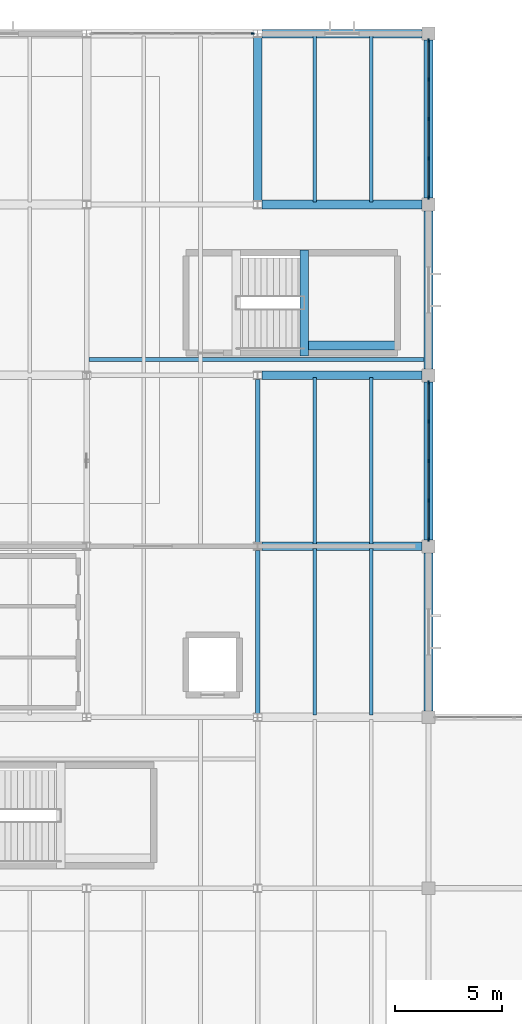
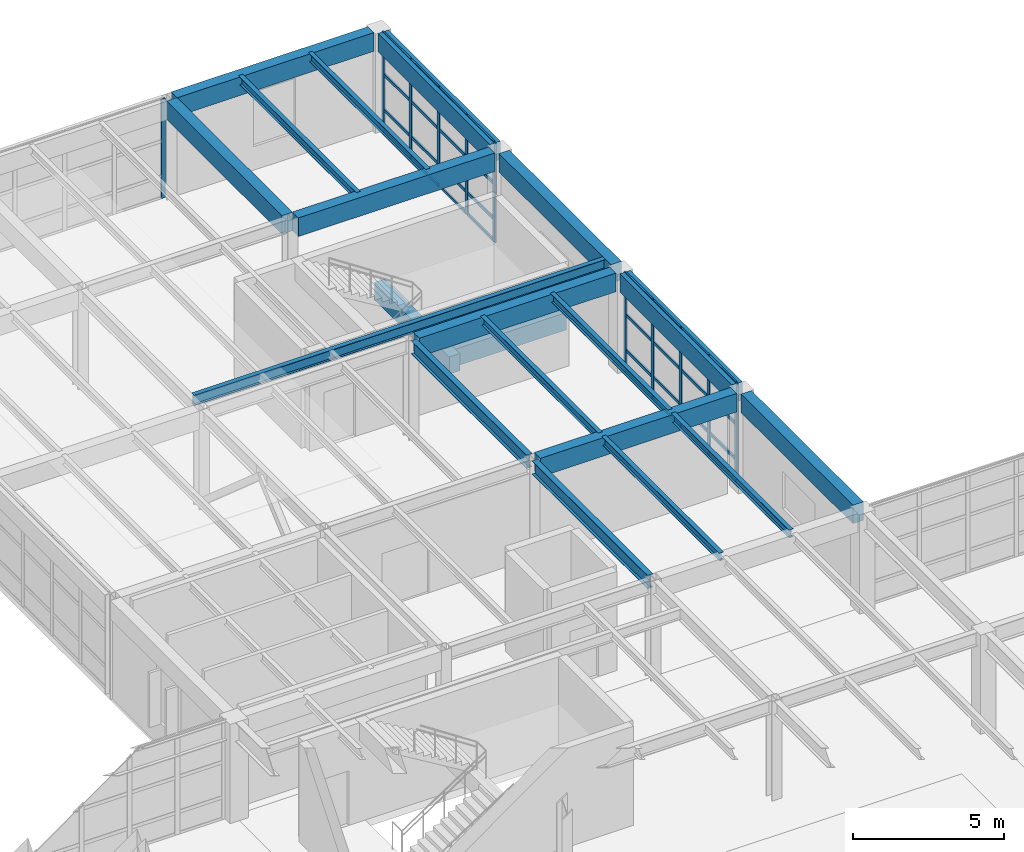
# One storey, part 28 of 48: 43 members, 20 beams, 3 elements without a shape of their own.
"""IFC4 building model written with IfcOpenShell, lengths in metres."""

from ifc_helpers import new_model, si_unit, direction, frame, origin, origin_2d, place, context, subcontext, project, spatial, rectangle, i_section, extrude, material, layer, layer_set, material_profile, profile_set, type_object, element, aggregate, save


model = new_model("IFC4")

# Units and contexts
model_context = context("Model", 3, precision=1e-05, world=origin(), true_north=direction((0.0, 1.0)))
body_context = subcontext(model_context, "Body", "Model", "MODEL_VIEW")
ifc_project = project(units=[si_unit("LENGTHUNIT", "METRE"), si_unit("AREAUNIT", "SQUARE_METRE"), si_unit("VOLUMEUNIT", "CUBIC_METRE"), si_unit("PLANEANGLEUNIT", "RADIAN"), si_unit("MASSUNIT", "GRAM", prefix="KILO")], contexts=[model_context])

# Site, building, storey
site_placement = place(None, origin())
site = spatial("IfcSite", under=ifc_project, at=site_placement, CompositionType="ELEMENT")
building_placement = place(site_placement, origin())
building = spatial("IfcBuilding", under=site, at=building_placement, Name="Varnela Railside Interchange", CompositionType="ELEMENT")
storey_placement = place(building_placement, frame((0.0, 0.0, 11.199951171875)))
storey = spatial("IfcBuildingStorey", under=building, at=storey_placement, Name="L02", CompositionType="ELEMENT", Elevation=11.199951171875)

# Beams
ifc_material_1 = material(Name="Steel AR 350 (350 MPa)", Category="steel")
ifc_material_profile_1 = material_profile(ifc_material_1, i_section(OverallWidth=0.2109375, OverallDepth=0.5390625, WebThickness=0.01171875, FlangeThickness=0.018798828125, at=origin_2d()), Name="W530x109")
ifc_profile_set_1 = profile_set([ifc_material_profile_1], Name="Steel AR 350 (350 MPa)")
beam_type_1 = type_object("IfcBeamType", Name="Composite Girder B-17", PredefinedType="BEAM", material=ifc_profile_set_1)
for number, where, z_axis, x_axis, name in (
    (1, (132.0, 62.1875, 3.73046875), (0.0, 1.0, 0.0), (-1.0, 0.0, 0.0), "Composite Girder B-17 (L02) (BM-2037)"),
    (2, (132.0, 70.1875, 3.73046875), (0.0, 1.0, 0.0), (-1.0, 0.0, 0.0), "Composite Girder B-17 (L02) (BM-2038)"),
):
    element("IfcBeam", number, at=place(storey_placement, frame(where, z_axis=z_axis, x_axis=x_axis)), inside=storey, type_object=beam_type_1, Name=name, PredefinedType="BEAM", context=body_context, shape_type="SweptSolid", body=[
        extrude(i_section(OverallWidth=0.2109375, OverallDepth=0.5390625, WebThickness=0.01171875, FlangeThickness=0.018798828125, at=origin_2d()), origin(), (0.0, 0.0, 1.0), 7.625),
    ])
ifc_material_profile_2 = material_profile(ifc_material_1, i_section(OverallWidth=0.1669921875, OverallDepth=0.31689453125, WebThickness=0.007568359375, FlangeThickness=0.01318359375, at=origin_2d()), Name="W310x52")
ifc_profile_set_2 = profile_set([ifc_material_profile_2], Name="Steel AR 350 (350 MPa)")
beam_type_2 = type_object("IfcBeamType", Name="Composite Long-Span Joist J-03", PredefinedType="JOIST", material=ifc_profile_set_2)
for number, where, z_axis, x_axis, name in (
    (3, (134.669921875, 62.10595703125, 3.841552734375), (0.0, 1.0, 0.0), (-1.0, 0.0, 0.0), "Composite Long-Span Joist J-03 (L02) (BM-1872)"),
    (4, (137.330078125, 62.10595703125, 3.841552734375), (0.0, 1.0, 0.0), (-1.0, 0.0, 0.0), "Composite Long-Span Joist J-03 (L02) (BM-1873)"),
    (5, (134.669921875, 70.10595703125, 3.841552734375), (0.0, 1.0, 0.0), (-1.0, 0.0, 0.0), "Composite Long-Span Joist J-03 (L02) (BM-1874)"),
    (6, (137.330078125, 70.10595703125, 3.841552734375), (0.0, 1.0, 0.0), (-1.0, 0.0, 0.0), "Composite Long-Span Joist J-03 (L02) (BM-1875)"),
    (7, (134.669921875, 86.10595703125, 3.841552734375), (0.0, 1.0, 0.0), (-1.0, 0.0, 0.0), "Composite Long-Span Joist J-03 (L02) (BM-1864)"),
    (8, (137.330078125, 86.10595703125, 3.841552734375), (0.0, 1.0, 0.0), (-1.0, 0.0, 0.0), "Composite Long-Span Joist J-03 (L02) (BM-1865)"),
):
    element("IfcBeam", number, at=place(storey_placement, frame(where, z_axis=z_axis, x_axis=x_axis)), inside=storey, type_object=beam_type_2, Name=name, PredefinedType="JOIST", context=body_context, shape_type="SweptSolid", body=[
        extrude(i_section(OverallWidth=0.1669921875, OverallDepth=0.31689453125, WebThickness=0.007568359375, FlangeThickness=0.01318359375, at=origin_2d()), origin(), (0.0, 0.0, 1.0), 7.7880859375),
    ])
ifc_material_2 = material(Name="Concrete C40", Category="concrete")
ifc_material_profile_3 = material_profile(ifc_material_2, rectangle(XDim=0.39990234375, YDim=0.699951171875, at=origin_2d()), Name="RC 400x700")
ifc_profile_set_3 = profile_set([ifc_material_profile_3], Name="Concrete C40")
beam_type_3 = type_object("IfcBeamType", Name="Concrete Tie Beam B-01", PredefinedType="BEAM", material=ifc_profile_set_3)
beam_1_placement = place(storey_placement, frame((134.18994140625, 78.919921875, 1.590087890625), z_axis=(0.0, 1.0, 0.0), x_axis=(-1.0, 0.0, 0.0)))
element("IfcBeam", 9, at=beam_1_placement, inside=storey, type_object=beam_type_3, Name="Concrete Tie Beam B-01 (L02) (BM-2107)", PredefinedType="BEAM", context=body_context, shape_type="SweptSolid", body=[
    extrude(rectangle(XDim=0.39990234375, YDim=0.699951171875, at=origin_2d()), origin(), (0.0, 0.0, 1.0), 4.9599609375),
])
beam_2_placement = place(storey_placement, frame((134.389892578125, 79.39990234375, 1.590087890625), z_axis=(1.0, 0.0, 0.0), x_axis=(0.0, 1.0, 0.0)))
element("IfcBeam", 10, at=beam_2_placement, inside=storey, type_object=beam_type_3, Name="Concrete Tie Beam B-01 (L02) (BM-2101)", PredefinedType="BEAM", context=body_context, shape_type="SweptSolid", body=[
    extrude(rectangle(XDim=0.39990234375, YDim=0.699951171875, at=origin_2d()), origin(), (0.0, 0.0, 1.0), 4.230224609375),
])

# Curtain wall, member
ifc_material_3 = material(Name="Aluminium 6063-T6", Category="aluminium")
ifc_layer = layer(ifc_material_3, 0.035888671875)
ifc_layer_set = layer_set([ifc_layer], Name="Aluminium 6063-T6")
curtain_wall_type = type_object("IfcCurtainWallType", Name="Study Pavilion Gallery Curtain Wall CW-02", PredefinedType="USERDEFINED", material=ifc_layer_set)
curtain_wall_1_placement = place(storey_placement, origin())
curtain_wall_1 = element("IfcCurtainWall", 11, at=curtain_wall_1_placement, inside=storey, type_object=curtain_wall_type, Name="Curtain Wall CW-02 (L02) (CW-057)", ObjectType="CURTAIN WALL", PredefinedType="USERDEFINED")
ifc_material_profile_4 = material_profile(ifc_material_3, rectangle(XDim=0.06005859375, YDim=0.159912109375, at=origin_2d()), Name="ALU 60x160")
ifc_profile_set_4 = profile_set([ifc_material_profile_4], Name="Aluminium 6063-T6")
member_type_1 = type_object("IfcMemberType", Name="Curtain Wall Mullion ML-02", PredefinedType="MULLION", material=ifc_profile_set_4)
member_1_placement = place(storey_placement, frame((131.77294921875, 94.0, 0.0), z_axis=(0.0, 0.0, 1.0), x_axis=(0.0, 1.0, 0.0)))
member_1 = element("IfcMember", 12, at=member_1_placement, type_object=member_type_1, Name="CW-02 mullion 5", PredefinedType="MULLION", context=body_context, shape_type="SweptSolid", body=[
    extrude(rectangle(XDim=0.06005859375, YDim=0.159912109375, at=origin_2d()), origin(), (0.0, 0.0, 1.0), 4.0),
])
aggregate(curtain_wall_1, [member_1])

# Curtain wall, members
curtain_wall_2_placement = place(storey_placement, origin())
curtain_wall_2 = element("IfcCurtainWall", 13, at=curtain_wall_2_placement, inside=storey, type_object=curtain_wall_type, Name="Curtain Wall CW-02 (L02) (CW-058)", ObjectType="CURTAIN WALL", PredefinedType="USERDEFINED")
member_2_placement = place(storey_placement, frame((140.0, 93.669921875, 0.0), z_axis=(0.0, 0.0, 1.0), x_axis=(1.0, 0.0, 0.0)))
member_2 = element("IfcMember", 14, at=member_2_placement, type_object=member_type_1, Name="CW-02 mullion 1", PredefinedType="MULLION", context=body_context, shape_type="SweptSolid", body=[
    extrude(rectangle(XDim=0.06005859375, YDim=0.159912109375, at=origin_2d()), origin(), (0.0, 0.0, 1.0), 4.0),
])
member_3_placement = place(storey_placement, frame((140.0, 91.85009765625, 0.0), z_axis=(0.0, 0.0, 1.0), x_axis=(1.0, 0.0, 0.0)))
member_3 = element("IfcMember", 15, at=member_3_placement, type_object=member_type_1, Name="CW-02 mullion 2", PredefinedType="MULLION", context=body_context, shape_type="SweptSolid", body=[
    extrude(rectangle(XDim=0.06005859375, YDim=0.159912109375, at=origin_2d()), origin(), (0.0, 0.0, 1.0), 4.0),
])
member_4_placement = place(storey_placement, frame((140.0, 90.0, 0.0), z_axis=(0.0, 0.0, 1.0), x_axis=(1.0, 0.0, 0.0)))
member_4 = element("IfcMember", 16, at=member_4_placement, type_object=member_type_1, Name="CW-02 mullion 3", PredefinedType="MULLION", context=body_context, shape_type="SweptSolid", body=[
    extrude(rectangle(XDim=0.06005859375, YDim=0.159912109375, at=origin_2d()), origin(), (0.0, 0.0, 1.0), 4.0),
])
member_5_placement = place(storey_placement, frame((140.0, 88.14990234375, 0.0), z_axis=(0.0, 0.0, 1.0), x_axis=(1.0, 0.0, 0.0)))
member_5 = element("IfcMember", 17, at=member_5_placement, type_object=member_type_1, Name="CW-02 mullion 4", PredefinedType="MULLION", context=body_context, shape_type="SweptSolid", body=[
    extrude(rectangle(XDim=0.06005859375, YDim=0.159912109375, at=origin_2d()), origin(), (0.0, 0.0, 1.0), 4.0),
])
member_6_placement = place(storey_placement, frame((140.0, 86.330078125, 0.0), z_axis=(0.0, 0.0, 1.0), x_axis=(1.0, 0.0, 0.0)))
member_6 = element("IfcMember", 18, at=member_6_placement, type_object=member_type_1, Name="CW-02 mullion 5", PredefinedType="MULLION", context=body_context, shape_type="SweptSolid", body=[
    extrude(rectangle(XDim=0.06005859375, YDim=0.159912109375, at=origin_2d()), origin(), (0.0, 0.0, 1.0), 4.0),
])

curtain_wall_3_placement = place(storey_placement, origin())
curtain_wall_3 = element("IfcCurtainWall", 19, at=curtain_wall_3_placement, inside=storey, type_object=curtain_wall_type, Name="Curtain Wall CW-02 (L02) (CW-059)", ObjectType="CURTAIN WALL", PredefinedType="USERDEFINED")
member_7_placement = place(storey_placement, frame((140.0, 77.669921875, 0.0), z_axis=(0.0, 0.0, 1.0), x_axis=(1.0, 0.0, 0.0)))
member_7 = element("IfcMember", 20, at=member_7_placement, type_object=member_type_1, Name="CW-02 mullion 1", PredefinedType="MULLION", context=body_context, shape_type="SweptSolid", body=[
    extrude(rectangle(XDim=0.06005859375, YDim=0.159912109375, at=origin_2d()), origin(), (0.0, 0.0, 1.0), 4.0),
])
member_8_placement = place(storey_placement, frame((140.0, 75.85009765625, 0.0), z_axis=(0.0, 0.0, 1.0), x_axis=(1.0, 0.0, 0.0)))
member_8 = element("IfcMember", 21, at=member_8_placement, type_object=member_type_1, Name="CW-02 mullion 2", PredefinedType="MULLION", context=body_context, shape_type="SweptSolid", body=[
    extrude(rectangle(XDim=0.06005859375, YDim=0.159912109375, at=origin_2d()), origin(), (0.0, 0.0, 1.0), 4.0),
])
member_9_placement = place(storey_placement, frame((140.0, 74.0, 0.0), z_axis=(0.0, 0.0, 1.0), x_axis=(1.0, 0.0, 0.0)))
member_9 = element("IfcMember", 22, at=member_9_placement, type_object=member_type_1, Name="CW-02 mullion 3", PredefinedType="MULLION", context=body_context, shape_type="SweptSolid", body=[
    extrude(rectangle(XDim=0.06005859375, YDim=0.159912109375, at=origin_2d()), origin(), (0.0, 0.0, 1.0), 4.0),
])
member_10_placement = place(storey_placement, frame((140.0, 72.14990234375, 0.0), z_axis=(0.0, 0.0, 1.0), x_axis=(1.0, 0.0, 0.0)))
member_10 = element("IfcMember", 23, at=member_10_placement, type_object=member_type_1, Name="CW-02 mullion 4", PredefinedType="MULLION", context=body_context, shape_type="SweptSolid", body=[
    extrude(rectangle(XDim=0.06005859375, YDim=0.159912109375, at=origin_2d()), origin(), (0.0, 0.0, 1.0), 4.0),
])
member_11_placement = place(storey_placement, frame((140.0, 70.330078125, 0.0), z_axis=(0.0, 0.0, 1.0), x_axis=(1.0, 0.0, 0.0)))
member_11 = element("IfcMember", 24, at=member_11_placement, type_object=member_type_1, Name="CW-02 mullion 5", PredefinedType="MULLION", context=body_context, shape_type="SweptSolid", body=[
    extrude(rectangle(XDim=0.06005859375, YDim=0.159912109375, at=origin_2d()), origin(), (0.0, 0.0, 1.0), 4.0),
])

# Member
ifc_material_profile_5 = material_profile(ifc_material_3, rectangle(XDim=0.06005859375, YDim=0.1201171875, at=origin_2d()), Name="ALU 60x120")
ifc_profile_set_5 = profile_set([ifc_material_profile_5], Name="Aluminium 6063-T6")
member_type_2 = type_object("IfcMemberType", Name="Curtain Wall Transom TR-02", PredefinedType="USERDEFINED", material=ifc_profile_set_5)
member_12_placement = place(storey_placement, frame((140.0, 93.639892578125, 0.030029296875), z_axis=(0.0, -1.0, 0.0), x_axis=(1.0, 0.0, 0.0)))
member_12 = element("IfcMember", 25, at=member_12_placement, type_object=member_type_2, Name="CW-02 transom 1.1", ObjectType="TRANSOM", PredefinedType="USERDEFINED", context=body_context, shape_type="SweptSolid", body=[
    extrude(rectangle(XDim=0.06005859375, YDim=0.1201171875, at=origin_2d()), origin(), (0.0, 0.0, 1.0), 1.760009765625),
])

member_13_placement = place(storey_placement, frame((140.0, 93.639892578125, 0.900146484375), z_axis=(0.0, -1.0, 0.0), x_axis=(1.0, 0.0, 0.0)))
member_13 = element("IfcMember", 26, at=member_13_placement, type_object=member_type_2, Name="CW-02 transom 1.2", ObjectType="TRANSOM", PredefinedType="USERDEFINED", context=body_context, shape_type="SweptSolid", body=[
    extrude(rectangle(XDim=0.06005859375, YDim=0.1201171875, at=origin_2d()), origin(), (0.0, 0.0, 1.0), 1.760009765625),
])

member_14_placement = place(storey_placement, frame((140.0, 93.639892578125, 2.320068359375), z_axis=(0.0, -1.0, 0.0), x_axis=(1.0, 0.0, 0.0)))
member_14 = element("IfcMember", 27, at=member_14_placement, type_object=member_type_2, Name="CW-02 transom 1.3", ObjectType="TRANSOM", PredefinedType="USERDEFINED", context=body_context, shape_type="SweptSolid", body=[
    extrude(rectangle(XDim=0.06005859375, YDim=0.1201171875, at=origin_2d()), origin(), (0.0, 0.0, 1.0), 1.760009765625),
])

member_15_placement = place(storey_placement, frame((140.0, 93.639892578125, 3.969970703125), z_axis=(0.0, -1.0, 0.0), x_axis=(1.0, 0.0, 0.0)))
member_15 = element("IfcMember", 28, at=member_15_placement, type_object=member_type_2, Name="CW-02 transom 1.4", ObjectType="TRANSOM", PredefinedType="USERDEFINED", context=body_context, shape_type="SweptSolid", body=[
    extrude(rectangle(XDim=0.06005859375, YDim=0.1201171875, at=origin_2d()), origin(), (0.0, 0.0, 1.0), 1.760009765625),
])

member_16_placement = place(storey_placement, frame((140.0, 91.820068359375, 0.030029296875), z_axis=(0.0, -1.0, 0.0), x_axis=(1.0, 0.0, 0.0)))
member_16 = element("IfcMember", 29, at=member_16_placement, type_object=member_type_2, Name="CW-02 transom 2.1", ObjectType="TRANSOM", PredefinedType="USERDEFINED", context=body_context, shape_type="SweptSolid", body=[
    extrude(rectangle(XDim=0.06005859375, YDim=0.1201171875, at=origin_2d()), origin(), (0.0, 0.0, 1.0), 1.7900390625),
])

member_17_placement = place(storey_placement, frame((140.0, 91.820068359375, 0.900146484375), z_axis=(0.0, -1.0, 0.0), x_axis=(1.0, 0.0, 0.0)))
member_17 = element("IfcMember", 30, at=member_17_placement, type_object=member_type_2, Name="CW-02 transom 2.2", ObjectType="TRANSOM", PredefinedType="USERDEFINED", context=body_context, shape_type="SweptSolid", body=[
    extrude(rectangle(XDim=0.06005859375, YDim=0.1201171875, at=origin_2d()), origin(), (0.0, 0.0, 1.0), 1.7900390625),
])

member_18_placement = place(storey_placement, frame((140.0, 91.820068359375, 2.320068359375), z_axis=(0.0, -1.0, 0.0), x_axis=(1.0, 0.0, 0.0)))
member_18 = element("IfcMember", 31, at=member_18_placement, type_object=member_type_2, Name="CW-02 transom 2.3", ObjectType="TRANSOM", PredefinedType="USERDEFINED", context=body_context, shape_type="SweptSolid", body=[
    extrude(rectangle(XDim=0.06005859375, YDim=0.1201171875, at=origin_2d()), origin(), (0.0, 0.0, 1.0), 1.7900390625),
])

member_19_placement = place(storey_placement, frame((140.0, 91.820068359375, 3.969970703125), z_axis=(0.0, -1.0, 0.0), x_axis=(1.0, 0.0, 0.0)))
member_19 = element("IfcMember", 32, at=member_19_placement, type_object=member_type_2, Name="CW-02 transom 2.4", ObjectType="TRANSOM", PredefinedType="USERDEFINED", context=body_context, shape_type="SweptSolid", body=[
    extrude(rectangle(XDim=0.06005859375, YDim=0.1201171875, at=origin_2d()), origin(), (0.0, 0.0, 1.0), 1.7900390625),
])

member_20_placement = place(storey_placement, frame((140.0, 89.969970703125, 0.030029296875), z_axis=(0.0, -1.0, 0.0), x_axis=(1.0, 0.0, 0.0)))
member_20 = element("IfcMember", 33, at=member_20_placement, type_object=member_type_2, Name="CW-02 transom 3.1", ObjectType="TRANSOM", PredefinedType="USERDEFINED", context=body_context, shape_type="SweptSolid", body=[
    extrude(rectangle(XDim=0.06005859375, YDim=0.1201171875, at=origin_2d()), origin(), (0.0, 0.0, 1.0), 1.7900390625),
])

member_21_placement = place(storey_placement, frame((140.0, 89.969970703125, 0.900146484375), z_axis=(0.0, -1.0, 0.0), x_axis=(1.0, 0.0, 0.0)))
member_21 = element("IfcMember", 34, at=member_21_placement, type_object=member_type_2, Name="CW-02 transom 3.2", ObjectType="TRANSOM", PredefinedType="USERDEFINED", context=body_context, shape_type="SweptSolid", body=[
    extrude(rectangle(XDim=0.06005859375, YDim=0.1201171875, at=origin_2d()), origin(), (0.0, 0.0, 1.0), 1.7900390625),
])

member_22_placement = place(storey_placement, frame((140.0, 89.969970703125, 2.320068359375), z_axis=(0.0, -1.0, 0.0), x_axis=(1.0, 0.0, 0.0)))
member_22 = element("IfcMember", 35, at=member_22_placement, type_object=member_type_2, Name="CW-02 transom 3.3", ObjectType="TRANSOM", PredefinedType="USERDEFINED", context=body_context, shape_type="SweptSolid", body=[
    extrude(rectangle(XDim=0.06005859375, YDim=0.1201171875, at=origin_2d()), origin(), (0.0, 0.0, 1.0), 1.7900390625),
])

member_23_placement = place(storey_placement, frame((140.0, 89.969970703125, 3.969970703125), z_axis=(0.0, -1.0, 0.0), x_axis=(1.0, 0.0, 0.0)))
member_23 = element("IfcMember", 36, at=member_23_placement, type_object=member_type_2, Name="CW-02 transom 3.4", ObjectType="TRANSOM", PredefinedType="USERDEFINED", context=body_context, shape_type="SweptSolid", body=[
    extrude(rectangle(XDim=0.06005859375, YDim=0.1201171875, at=origin_2d()), origin(), (0.0, 0.0, 1.0), 1.7900390625),
])

member_24_placement = place(storey_placement, frame((140.0, 88.1201171875, 0.030029296875), z_axis=(0.0, -1.0, 0.0), x_axis=(1.0, 0.0, 0.0)))
member_24 = element("IfcMember", 37, at=member_24_placement, type_object=member_type_2, Name="CW-02 transom 4.1", ObjectType="TRANSOM", PredefinedType="USERDEFINED", context=body_context, shape_type="SweptSolid", body=[
    extrude(rectangle(XDim=0.06005859375, YDim=0.1201171875, at=origin_2d()), origin(), (0.0, 0.0, 1.0), 1.760009765625),
])

member_25_placement = place(storey_placement, frame((140.0, 88.1201171875, 0.900146484375), z_axis=(0.0, -1.0, 0.0), x_axis=(1.0, 0.0, 0.0)))
member_25 = element("IfcMember", 38, at=member_25_placement, type_object=member_type_2, Name="CW-02 transom 4.2", ObjectType="TRANSOM", PredefinedType="USERDEFINED", context=body_context, shape_type="SweptSolid", body=[
    extrude(rectangle(XDim=0.06005859375, YDim=0.1201171875, at=origin_2d()), origin(), (0.0, 0.0, 1.0), 1.760009765625),
])

member_26_placement = place(storey_placement, frame((140.0, 88.1201171875, 2.320068359375), z_axis=(0.0, -1.0, 0.0), x_axis=(1.0, 0.0, 0.0)))
member_26 = element("IfcMember", 39, at=member_26_placement, type_object=member_type_2, Name="CW-02 transom 4.3", ObjectType="TRANSOM", PredefinedType="USERDEFINED", context=body_context, shape_type="SweptSolid", body=[
    extrude(rectangle(XDim=0.06005859375, YDim=0.1201171875, at=origin_2d()), origin(), (0.0, 0.0, 1.0), 1.760009765625),
])

member_27_placement = place(storey_placement, frame((140.0, 88.1201171875, 3.969970703125), z_axis=(0.0, -1.0, 0.0), x_axis=(1.0, 0.0, 0.0)))
member_27 = element("IfcMember", 40, at=member_27_placement, type_object=member_type_2, Name="CW-02 transom 4.4", ObjectType="TRANSOM", PredefinedType="USERDEFINED", context=body_context, shape_type="SweptSolid", body=[
    extrude(rectangle(XDim=0.06005859375, YDim=0.1201171875, at=origin_2d()), origin(), (0.0, 0.0, 1.0), 1.760009765625),
])

aggregate(curtain_wall_2, [member_2, member_3, member_4, member_5, member_6, member_12, member_13, member_14, member_15, member_16, member_17, member_18, member_19, member_20, member_21, member_22, member_23, member_24, member_25, member_26, member_27])

member_28_placement = place(storey_placement, frame((140.0, 77.639892578125, 0.030029296875), z_axis=(0.0, -1.0, 0.0), x_axis=(1.0, 0.0, 0.0)))
member_28 = element("IfcMember", 41, at=member_28_placement, type_object=member_type_2, Name="CW-02 transom 1.1", ObjectType="TRANSOM", PredefinedType="USERDEFINED", context=body_context, shape_type="SweptSolid", body=[
    extrude(rectangle(XDim=0.06005859375, YDim=0.1201171875, at=origin_2d()), origin(), (0.0, 0.0, 1.0), 1.760009765625),
])

member_29_placement = place(storey_placement, frame((140.0, 77.639892578125, 0.900146484375), z_axis=(0.0, -1.0, 0.0), x_axis=(1.0, 0.0, 0.0)))
member_29 = element("IfcMember", 42, at=member_29_placement, type_object=member_type_2, Name="CW-02 transom 1.2", ObjectType="TRANSOM", PredefinedType="USERDEFINED", context=body_context, shape_type="SweptSolid", body=[
    extrude(rectangle(XDim=0.06005859375, YDim=0.1201171875, at=origin_2d()), origin(), (0.0, 0.0, 1.0), 1.760009765625),
])

member_30_placement = place(storey_placement, frame((140.0, 77.639892578125, 2.320068359375), z_axis=(0.0, -1.0, 0.0), x_axis=(1.0, 0.0, 0.0)))
member_30 = element("IfcMember", 43, at=member_30_placement, type_object=member_type_2, Name="CW-02 transom 1.3", ObjectType="TRANSOM", PredefinedType="USERDEFINED", context=body_context, shape_type="SweptSolid", body=[
    extrude(rectangle(XDim=0.06005859375, YDim=0.1201171875, at=origin_2d()), origin(), (0.0, 0.0, 1.0), 1.760009765625),
])

member_31_placement = place(storey_placement, frame((140.0, 77.639892578125, 3.969970703125), z_axis=(0.0, -1.0, 0.0), x_axis=(1.0, 0.0, 0.0)))
member_31 = element("IfcMember", 44, at=member_31_placement, type_object=member_type_2, Name="CW-02 transom 1.4", ObjectType="TRANSOM", PredefinedType="USERDEFINED", context=body_context, shape_type="SweptSolid", body=[
    extrude(rectangle(XDim=0.06005859375, YDim=0.1201171875, at=origin_2d()), origin(), (0.0, 0.0, 1.0), 1.760009765625),
])

member_32_placement = place(storey_placement, frame((140.0, 75.820068359375, 0.030029296875), z_axis=(0.0, -1.0, 0.0), x_axis=(1.0, 0.0, 0.0)))
member_32 = element("IfcMember", 45, at=member_32_placement, type_object=member_type_2, Name="CW-02 transom 2.1", ObjectType="TRANSOM", PredefinedType="USERDEFINED", context=body_context, shape_type="SweptSolid", body=[
    extrude(rectangle(XDim=0.06005859375, YDim=0.1201171875, at=origin_2d()), origin(), (0.0, 0.0, 1.0), 1.7900390625),
])

member_33_placement = place(storey_placement, frame((140.0, 75.820068359375, 0.900146484375), z_axis=(0.0, -1.0, 0.0), x_axis=(1.0, 0.0, 0.0)))
member_33 = element("IfcMember", 46, at=member_33_placement, type_object=member_type_2, Name="CW-02 transom 2.2", ObjectType="TRANSOM", PredefinedType="USERDEFINED", context=body_context, shape_type="SweptSolid", body=[
    extrude(rectangle(XDim=0.06005859375, YDim=0.1201171875, at=origin_2d()), origin(), (0.0, 0.0, 1.0), 1.7900390625),
])

member_34_placement = place(storey_placement, frame((140.0, 75.820068359375, 2.320068359375), z_axis=(0.0, -1.0, 0.0), x_axis=(1.0, 0.0, 0.0)))
member_34 = element("IfcMember", 47, at=member_34_placement, type_object=member_type_2, Name="CW-02 transom 2.3", ObjectType="TRANSOM", PredefinedType="USERDEFINED", context=body_context, shape_type="SweptSolid", body=[
    extrude(rectangle(XDim=0.06005859375, YDim=0.1201171875, at=origin_2d()), origin(), (0.0, 0.0, 1.0), 1.7900390625),
])

member_35_placement = place(storey_placement, frame((140.0, 75.820068359375, 3.969970703125), z_axis=(0.0, -1.0, 0.0), x_axis=(1.0, 0.0, 0.0)))
member_35 = element("IfcMember", 48, at=member_35_placement, type_object=member_type_2, Name="CW-02 transom 2.4", ObjectType="TRANSOM", PredefinedType="USERDEFINED", context=body_context, shape_type="SweptSolid", body=[
    extrude(rectangle(XDim=0.06005859375, YDim=0.1201171875, at=origin_2d()), origin(), (0.0, 0.0, 1.0), 1.7900390625),
])

member_36_placement = place(storey_placement, frame((140.0, 73.969970703125, 0.030029296875), z_axis=(0.0, -1.0, 0.0), x_axis=(1.0, 0.0, 0.0)))
member_36 = element("IfcMember", 49, at=member_36_placement, type_object=member_type_2, Name="CW-02 transom 3.1", ObjectType="TRANSOM", PredefinedType="USERDEFINED", context=body_context, shape_type="SweptSolid", body=[
    extrude(rectangle(XDim=0.06005859375, YDim=0.1201171875, at=origin_2d()), origin(), (0.0, 0.0, 1.0), 1.7900390625),
])

member_37_placement = place(storey_placement, frame((140.0, 73.969970703125, 0.900146484375), z_axis=(0.0, -1.0, 0.0), x_axis=(1.0, 0.0, 0.0)))
member_37 = element("IfcMember", 50, at=member_37_placement, type_object=member_type_2, Name="CW-02 transom 3.2", ObjectType="TRANSOM", PredefinedType="USERDEFINED", context=body_context, shape_type="SweptSolid", body=[
    extrude(rectangle(XDim=0.06005859375, YDim=0.1201171875, at=origin_2d()), origin(), (0.0, 0.0, 1.0), 1.7900390625),
])

member_38_placement = place(storey_placement, frame((140.0, 73.969970703125, 2.320068359375), z_axis=(0.0, -1.0, 0.0), x_axis=(1.0, 0.0, 0.0)))
member_38 = element("IfcMember", 51, at=member_38_placement, type_object=member_type_2, Name="CW-02 transom 3.3", ObjectType="TRANSOM", PredefinedType="USERDEFINED", context=body_context, shape_type="SweptSolid", body=[
    extrude(rectangle(XDim=0.06005859375, YDim=0.1201171875, at=origin_2d()), origin(), (0.0, 0.0, 1.0), 1.7900390625),
])

member_39_placement = place(storey_placement, frame((140.0, 73.969970703125, 3.969970703125), z_axis=(0.0, -1.0, 0.0), x_axis=(1.0, 0.0, 0.0)))
member_39 = element("IfcMember", 52, at=member_39_placement, type_object=member_type_2, Name="CW-02 transom 3.4", ObjectType="TRANSOM", PredefinedType="USERDEFINED", context=body_context, shape_type="SweptSolid", body=[
    extrude(rectangle(XDim=0.06005859375, YDim=0.1201171875, at=origin_2d()), origin(), (0.0, 0.0, 1.0), 1.7900390625),
])

member_40_placement = place(storey_placement, frame((140.0, 72.1201171875, 0.030029296875), z_axis=(0.0, -1.0, 0.0), x_axis=(1.0, 0.0, 0.0)))
member_40 = element("IfcMember", 53, at=member_40_placement, type_object=member_type_2, Name="CW-02 transom 4.1", ObjectType="TRANSOM", PredefinedType="USERDEFINED", context=body_context, shape_type="SweptSolid", body=[
    extrude(rectangle(XDim=0.06005859375, YDim=0.1201171875, at=origin_2d()), origin(), (0.0, 0.0, 1.0), 1.760009765625),
])

member_41_placement = place(storey_placement, frame((140.0, 72.1201171875, 0.900146484375), z_axis=(0.0, -1.0, 0.0), x_axis=(1.0, 0.0, 0.0)))
member_41 = element("IfcMember", 54, at=member_41_placement, type_object=member_type_2, Name="CW-02 transom 4.2", ObjectType="TRANSOM", PredefinedType="USERDEFINED", context=body_context, shape_type="SweptSolid", body=[
    extrude(rectangle(XDim=0.06005859375, YDim=0.1201171875, at=origin_2d()), origin(), (0.0, 0.0, 1.0), 1.760009765625),
])

member_42_placement = place(storey_placement, frame((140.0, 72.1201171875, 2.320068359375), z_axis=(0.0, -1.0, 0.0), x_axis=(1.0, 0.0, 0.0)))
member_42 = element("IfcMember", 55, at=member_42_placement, type_object=member_type_2, Name="CW-02 transom 4.3", ObjectType="TRANSOM", PredefinedType="USERDEFINED", context=body_context, shape_type="SweptSolid", body=[
    extrude(rectangle(XDim=0.06005859375, YDim=0.1201171875, at=origin_2d()), origin(), (0.0, 0.0, 1.0), 1.760009765625),
])

member_43_placement = place(storey_placement, frame((140.0, 72.1201171875, 3.969970703125), z_axis=(0.0, -1.0, 0.0), x_axis=(1.0, 0.0, 0.0)))
member_43 = element("IfcMember", 56, at=member_43_placement, type_object=member_type_2, Name="CW-02 transom 4.4", ObjectType="TRANSOM", PredefinedType="USERDEFINED", context=body_context, shape_type="SweptSolid", body=[
    extrude(rectangle(XDim=0.06005859375, YDim=0.1201171875, at=origin_2d()), origin(), (0.0, 0.0, 1.0), 1.760009765625),
])

aggregate(curtain_wall_3, [member_7, member_8, member_9, member_10, member_11, member_28, member_29, member_30, member_31, member_32, member_33, member_34, member_35, member_36, member_37, member_38, member_39, member_40, member_41, member_42, member_43])

# Beams
ifc_material_4 = material(Name="Concrete C40 precast", Category="concrete")
ifc_material_profile_6 = material_profile(ifc_material_4, rectangle(XDim=0.39990234375, YDim=0.75, at=origin_2d()), Name="PC 400x750")
ifc_profile_set_6 = profile_set([ifc_material_profile_6], Name="Concrete C40 precast")
beam_type_4 = type_object("IfcBeamType", Name="Precast Facade Spandrel SP-03", PredefinedType="SPANDREL", material=ifc_profile_set_6)
for number, where, z_axis, x_axis, name in (
    (57, (132.197021484375, 70.0, 3.625), (1.0, 0.0, 0.0), (0.0, 1.0, 0.0), "Precast Facade Spandrel SP-03 (L02) (BM-1988)"),
    (58, (132.197021484375, 78.0, 3.625), (1.0, 0.0, 0.0), (0.0, 1.0, 0.0), "Precast Facade Spandrel SP-03 (L02) (BM-1995)"),
    (59, (132.197021484375, 86.0, 3.625), (1.0, 0.0, 0.0), (0.0, 1.0, 0.0), "Precast Facade Spandrel SP-03 (L02) (BM-2004)"),
    (60, (132.197021484375, 94.0, 3.625), (1.0, 0.0, 0.0), (0.0, 1.0, 0.0), "Precast Facade Spandrel SP-03 (L02) (BM-2013)"),
):
    element("IfcBeam", number, at=place(storey_placement, frame(where, z_axis=z_axis, x_axis=x_axis)), inside=storey, type_object=beam_type_4, Name=name, PredefinedType="SPANDREL", context=body_context, shape_type="SweptSolid", body=[
        extrude(rectangle(XDim=0.39990234375, YDim=0.75, at=origin_2d()), origin(), (0.0, 0.0, 1.0), 7.5029296875),
    ])
beam_3_placement = place(storey_placement, frame((132.0, 86.1875, 3.625), z_axis=(0.0, 1.0, 0.0), x_axis=(-1.0, 0.0, 0.0)))
element("IfcBeam", 61, at=beam_3_placement, inside=storey, type_object=beam_type_4, Name="Precast Facade Spandrel SP-03 (L02) (BM-2039)", PredefinedType="SPANDREL", context=body_context, shape_type="SweptSolid", body=[
    extrude(rectangle(XDim=0.39990234375, YDim=0.75, at=origin_2d()), origin(), (0.0, 0.0, 1.0), 7.625),
])
for number, where, z_axis, x_axis, name in (
    (62, (140.0, 62.300048828125, 3.625), (0.0, 1.0, 0.0), (-1.0, 0.0, 0.0), "Precast Facade Spandrel SP-03 (L02) (BM-2043)"),
    (63, (140.0, 70.300048828125, 3.625), (0.0, 1.0, 0.0), (-1.0, 0.0, 0.0), "Precast Facade Spandrel SP-03 (L02) (BM-2044)"),
    (64, (140.0, 78.300048828125, 3.625), (0.0, 1.0, 0.0), (-1.0, 0.0, 0.0), "Precast Facade Spandrel SP-03 (L02) (BM-2045)"),
    (65, (140.0, 86.300048828125, 3.625), (0.0, 1.0, 0.0), (-1.0, 0.0, 0.0), "Precast Facade Spandrel SP-03 (L02) (BM-2046)"),
):
    element("IfcBeam", number, at=place(storey_placement, frame(where, z_axis=z_axis, x_axis=x_axis)), inside=storey, type_object=beam_type_4, Name=name, PredefinedType="SPANDREL", context=body_context, shape_type="SweptSolid", body=[
        extrude(rectangle(XDim=0.39990234375, YDim=0.75, at=origin_2d()), origin(), (0.0, 0.0, 1.0), 7.39990234375),
    ])
ifc_material_profile_7 = material_profile(ifc_material_1, i_section(OverallWidth=0.179931640625, OverallDepth=0.4130859375, WebThickness=0.009765625, FlangeThickness=0.01611328125, at=origin_2d()), Name="W410x75")
ifc_profile_set_7 = profile_set([ifc_material_profile_7], Name="Steel AR 350 (350 MPa)")
beam_type_5 = type_object("IfcBeamType", Name="Stair Trimmer Steel Beam B-22", PredefinedType="BEAM", material=ifc_profile_set_7)
beam_4_placement = place(storey_placement, frame((124.1005859375, 78.75, 3.79345703125), z_axis=(1.0, 0.0, 0.0), x_axis=(0.0, 1.0, 0.0)))
element("IfcBeam", 66, at=beam_4_placement, inside=storey, type_object=beam_type_5, Name="Stair Trimmer Steel Beam B-22 (L02) (BM-2099)", PredefinedType="BEAM", context=body_context, shape_type="SweptSolid", body=[
    extrude(i_section(OverallWidth=0.179931640625, OverallDepth=0.4130859375, WebThickness=0.009765625, FlangeThickness=0.01611328125, at=origin_2d()), origin(), (0.0, 0.0, 1.0), 15.8193359375),
])

save(model, "model.ifc")
